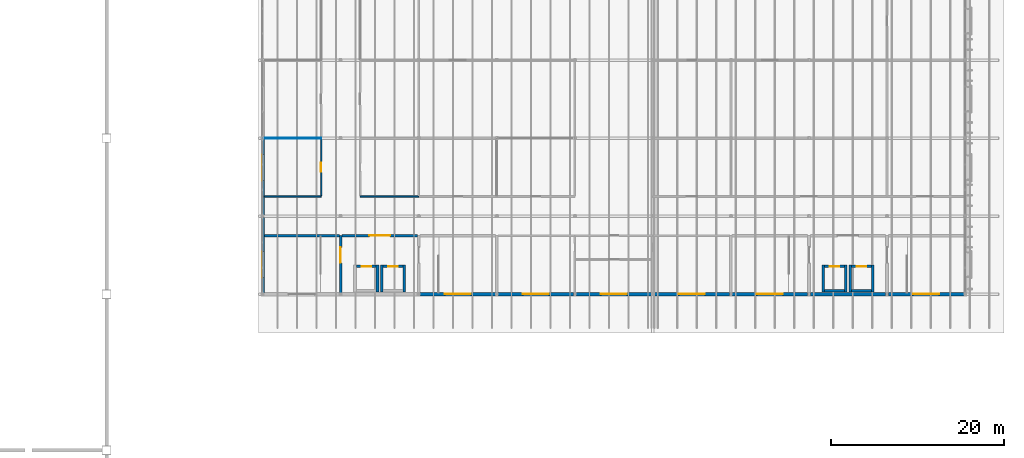
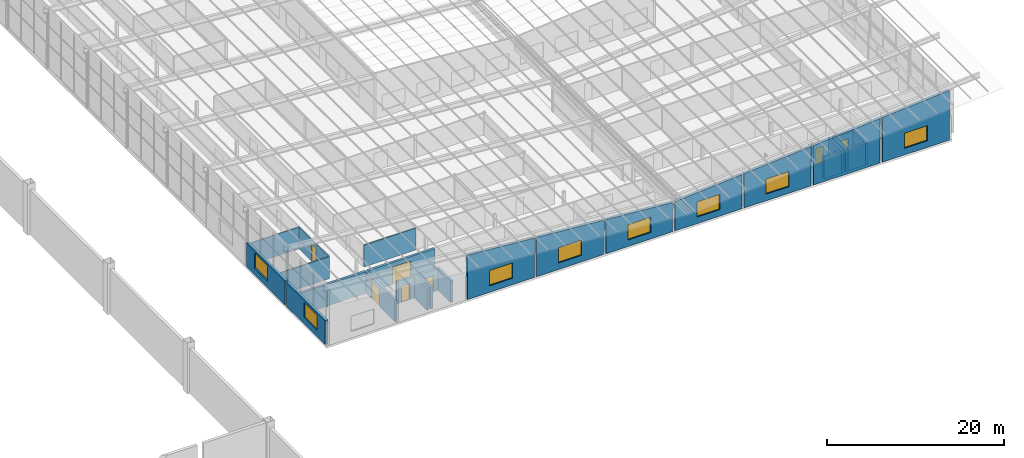
# One storey, part 70 of 85: 29 walls, 8 windows, 7 doors, 15 openings.
"""IFC4 building model written with IfcOpenShell, lengths in metres."""

from ifc_helpers import new_model, si_unit, direction, frame, frame_2d, origin, place, context, subcontext, project, spatial, polyline, rectangle, outline, extrude, material, layer, layer_set, type_object, element, fill, save


model = new_model("IFC4")

# Units and contexts
model_context = context("Model", 3, precision=1e-05, world=origin(), true_north=direction((0.0, 1.0)))
body_context = subcontext(model_context, "Body", "Model", "MODEL_VIEW")
ifc_project = project(units=[si_unit("LENGTHUNIT", "METRE"), si_unit("AREAUNIT", "SQUARE_METRE"), si_unit("VOLUMEUNIT", "CUBIC_METRE"), si_unit("PLANEANGLEUNIT", "RADIAN"), si_unit("MASSUNIT", "GRAM", prefix="KILO")], contexts=[model_context])

# Site, building, storey
site_placement = place(None, origin())
site = spatial("IfcSite", under=ifc_project, at=site_placement, CompositionType="ELEMENT")
building_placement = place(site_placement, origin())
building = spatial("IfcBuilding", under=site, at=building_placement, Name="Opaline Strait Convention Centre", CompositionType="ELEMENT")
storey_placement = place(building_placement, frame((0.0, 0.0, 17.0)))
storey = spatial("IfcBuildingStorey", under=building, at=storey_placement, Name="L03", CompositionType="ELEMENT", Elevation=17.0)

# Wall
ifc_material_1 = material(Name="Gypsum board")
ifc_layer_1 = layer(ifc_material_1, 0.032470703125)
ifc_material_2 = material(Name="Steel stud and mineral wool", Category="steel")
ifc_layer_2 = layer(ifc_material_2, 0.0849609375)
ifc_layer_3 = layer(ifc_material_1, 0.032470703125)
ifc_layer_set_1 = layer_set([ifc_layer_1, ifc_layer_2, ifc_layer_3], Name="Gypsum board, Steel stud and mineral wool, Gypsum board")
wall_type_1 = type_object("IfcWallType", Name="Corridor partition 150 EI60", PredefinedType="PARTITIONING", material=ifc_layer_set_1)
wall_1_placement = place(storey_placement, frame((279.199951171875, 101.25, 0.0), z_axis=(0.0, 0.0, 1.0), x_axis=(1.0, 0.0, 0.0)))
element("IfcWall", 1, at=wall_1_placement, inside=storey, type_object=wall_type_1, Name="MPW1 partition Organiser Office 3.01 S", PredefinedType="PARTITIONING", context=body_context, shape_type="SweptSolid", body=[
    extrude(rectangle(XDim=6.550048828125, YDim=0.14990234375, at=frame_2d((3.27490234375, 0.0))), origin(), (0.0, 0.0, 1.0), 3.0),
])

# Wall, opening, door
wall_2_placement = place(storey_placement, frame((285.75, 101.324951171875, 0.0), z_axis=(0.0, 0.0, 1.0), x_axis=(0.0, 1.0, 0.0)))
wall_2 = element("IfcWall", 2, at=wall_2_placement, inside=storey, type_object=wall_type_1, Name="MPW1 partition Organiser Office 3.01 E", PredefinedType="PARTITIONING", context=body_context, shape_type="SweptSolid", body=[
    extrude(rectangle(XDim=6.625, YDim=0.14990234375, at=frame_2d((3.3125, 0.0))), origin(), (0.0, 0.0, 1.0), 3.0),
])
opening_1_placement = place(wall_2_placement, frame((2.8125, 0.0, 0.0)))
opening_1 = element("IfcOpeningElement", 3, at=opening_1_placement, cuts=wall_2, Name="Opening M3-021", PredefinedType="OPENING", context=body_context, shape_type="SweptSolid", body=[
    extrude(rectangle(XDim=1.0, YDim=2.39990234375, at=frame_2d((0.5, 1.199951171875))), frame((0.0, 0.0849609375, 0.0), z_axis=(0.0, -1.0, 0.0), x_axis=(1.0, 0.0, 0.0)), (0.0, 0.0, 1.0), 0.169921875),
])
ifc_material_3 = material(Name="Solid-core timber leaf, steel frame door set", Category="steel")
door_type_1 = type_object("IfcDoorType", Name="Meeting room door FD30 1000 x 2400", OperationType="SINGLE_SWING_LEFT", PredefinedType="DOOR", material=ifc_material_3)
door_1_placement = place(opening_1_placement, frame((1.0, 0.0, 0.0), z_axis=(0.0, 0.0, 1.0), x_axis=(-1.0, 0.0, 0.0)))
door_1 = element("IfcDoor", 4, at=door_1_placement, inside=storey, type_object=door_type_1, Name="Door Organiser Office 3.01", ObjectType="MD8", OperationType="SINGLE_SWING_LEFT", OverallHeight=2.39990234375, OverallWidth=1.0, PredefinedType="DOOR", context=body_context, shape_type="SweptSolid", body=[
    extrude(rectangle(XDim=1.0, YDim=2.39990234375, at=frame_2d((0.5, 1.199951171875))), frame((0.0, 0.02490234375, 0.0), z_axis=(0.0, -1.0, 0.0), x_axis=(1.0, 0.0, 0.0)), (0.0, 0.0, 1.0), 0.050048828125),
])
fill(opening_1, door_1)

# Wall, opening, window
ifc_material_4 = material(Name="Concrete C40 precast", Category="concrete")
ifc_layer_4 = layer(ifc_material_4, 0.10009765625)
ifc_material_5 = material(Name="Mineral wool insulation")
ifc_layer_5 = layer(ifc_material_5, 0.14990234375)
ifc_layer_6 = layer(ifc_material_4, 0.14990234375)
ifc_layer_set_2 = layer_set([ifc_layer_4, ifc_layer_5, ifc_layer_6], Name="Concrete C40 precast, Mineral wool insulation, Concrete C40 precast")
wall_type_2 = type_object("IfcWallType", Name="External wall 400 insulated precast EI60", PredefinedType="STANDARD", material=ifc_layer_set_2)
wall_3_placement = place(storey_placement, frame((297.14990234375, 90.0, 0.0), z_axis=(0.0, 0.0, 1.0), x_axis=(1.0, 0.0, 0.0)))
wall_3 = element("IfcWall", 5, at=wall_3_placement, inside=storey, type_object=wall_type_2, Name="External wall S L03 34/L", PredefinedType="STANDARD", context=body_context, shape_type="SweptSolid", body=[
    extrude(outline(polyline([(0.0, 0.0), (8.7001953125, 0.0), (8.699951171875, 5.428466796875), (0.0, 6.113037109375), (0.0, 0.0)])), frame((0.0, 0.199951171875, 0.0), z_axis=(0.0, -1.0, 0.0), x_axis=(1.0, 0.0, 0.0)), (0.0, 0.0, 1.0), 0.39990234375),
])
opening_2_placement = place(wall_3_placement, frame((2.85009765625, 0.0, 0.89990234375)))
opening_2 = element("IfcOpeningElement", 6, at=opening_2_placement, cuts=wall_3, Name="Opening MW2", PredefinedType="OPENING", context=body_context, shape_type="SweptSolid", body=[
    extrude(rectangle(XDim=3.0, YDim=2.10009765625, at=frame_2d((1.5, 1.050048828125))), frame((0.0, 0.2099609375, 0.0), z_axis=(0.0, -1.0, 0.0), x_axis=(1.0, 0.0, 0.0)), (0.0, 0.0, 1.0), 0.419921875),
])
ifc_material_6 = material(Name="Aluminium framed double glazing", Category="aluminium")
window_type = type_object("IfcWindowType", Name="Window 3000 x 2100", PartitioningType="TRIPLE_PANEL_VERTICAL", PredefinedType="WINDOW", material=ifc_material_6)
window_1_placement = place(opening_2_placement, origin())
window_1 = element("IfcWindow", 7, at=window_1_placement, inside=storey, type_object=window_type, Name="Window Escape Stair S2 S", OverallHeight=2.10009765625, OverallWidth=3.0, PartitioningType="TRIPLE_PANEL_VERTICAL", PredefinedType="WINDOW", context=body_context, shape_type="SweptSolid", body=[
    extrude(rectangle(XDim=3.0, YDim=2.10009765625, at=frame_2d((1.5, 1.050048828125))), frame((0.0, 0.030029296875, 0.0), z_axis=(0.0, -1.0, 0.0), x_axis=(1.0, 0.0, 0.0)), (0.0, 0.0, 1.0), 0.06005859375),
])
fill(opening_2, window_1)

wall_4_placement = place(storey_placement, frame((306.14990234375, 90.0, 0.0), z_axis=(0.0, 0.0, 1.0), x_axis=(1.0, 0.0, 0.0)))
wall_4 = element("IfcWall", 8, at=wall_4_placement, inside=storey, type_object=wall_type_2, Name="External wall S L03 35/L", PredefinedType="STANDARD", context=body_context, shape_type="SweptSolid", body=[
    extrude(outline(polyline([(0.0, 0.0), (8.7001953125, 0.0), (8.699951171875, 4.72021484375), (0.0, 5.40478515625), (0.0, 0.0)])), frame((0.0, 0.199951171875, 0.0), z_axis=(0.0, -1.0, 0.0), x_axis=(1.0, 0.0, 0.0)), (0.0, 0.0, 1.0), 0.39990234375),
])
opening_3_placement = place(wall_4_placement, frame((2.85009765625, 0.0, 0.89990234375)))
opening_3 = element("IfcOpeningElement", 9, at=opening_3_placement, cuts=wall_4, Name="Opening MW2", PredefinedType="OPENING", context=body_context, shape_type="SweptSolid", body=[
    extrude(rectangle(XDim=3.0, YDim=2.10009765625, at=frame_2d((1.5, 1.050048828125))), frame((0.0, 0.2099609375, 0.0), z_axis=(0.0, -1.0, 0.0), x_axis=(1.0, 0.0, 0.0)), (0.0, 0.0, 1.0), 0.419921875),
])
window_2_placement = place(opening_3_placement, origin())
window_2 = element("IfcWindow", 10, at=window_2_placement, inside=storey, type_object=window_type, Name="Window Men's WC 3.S S", OverallHeight=2.10009765625, OverallWidth=3.0, PartitioningType="TRIPLE_PANEL_VERTICAL", PredefinedType="WINDOW", context=body_context, shape_type="SweptSolid", body=[
    extrude(rectangle(XDim=3.0, YDim=2.10009765625, at=frame_2d((1.5, 1.050048828125))), frame((0.0, 0.030029296875, 0.0), z_axis=(0.0, -1.0, 0.0), x_axis=(1.0, 0.0, 0.0)), (0.0, 0.0, 1.0), 0.06005859375),
])
fill(opening_3, window_2)

wall_5_placement = place(storey_placement, frame((315.14990234375, 90.0, 0.0), z_axis=(0.0, 0.0, 1.0), x_axis=(1.0, 0.0, 0.0)))
wall_5 = element("IfcWall", 11, at=wall_5_placement, inside=storey, type_object=wall_type_2, Name="External wall S L03 36/L", PredefinedType="STANDARD", context=body_context, shape_type="SweptSolid", body=[
    extrude(outline(polyline([(0.0, 0.0), (8.7001953125, 0.0), (8.699951171875, 4.01171875), (0.0, 4.696533203125), (0.0, 0.0)])), frame((0.0, 0.199951171875, 0.0), z_axis=(0.0, -1.0, 0.0), x_axis=(1.0, 0.0, 0.0)), (0.0, 0.0, 1.0), 0.39990234375),
])
opening_4_placement = place(wall_5_placement, frame((2.85009765625, 0.0, 0.89990234375)))
opening_4 = element("IfcOpeningElement", 12, at=opening_4_placement, cuts=wall_5, Name="Opening MW2", PredefinedType="OPENING", context=body_context, shape_type="SweptSolid", body=[
    extrude(rectangle(XDim=3.0, YDim=2.10009765625, at=frame_2d((1.5, 1.050048828125))), frame((0.0, 0.2099609375, 0.0), z_axis=(0.0, -1.0, 0.0), x_axis=(1.0, 0.0, 0.0)), (0.0, 0.0, 1.0), 0.419921875),
])
window_3_placement = place(opening_4_placement, origin())
window_3 = element("IfcWindow", 13, at=window_3_placement, inside=storey, type_object=window_type, Name="Window Accessible WC 3.S S", OverallHeight=2.10009765625, OverallWidth=3.0, PartitioningType="TRIPLE_PANEL_VERTICAL", PredefinedType="WINDOW", context=body_context, shape_type="SweptSolid", body=[
    extrude(rectangle(XDim=3.0, YDim=2.10009765625, at=frame_2d((1.5, 1.050048828125))), frame((0.0, 0.030029296875, 0.0), z_axis=(0.0, -1.0, 0.0), x_axis=(1.0, 0.0, 0.0)), (0.0, 0.0, 1.0), 0.06005859375),
])
fill(opening_4, window_3)

wall_6_placement = place(storey_placement, frame((324.14990234375, 90.0, 0.0), z_axis=(0.0, 0.0, 1.0), x_axis=(1.0, 0.0, 0.0)))
wall_6 = element("IfcWall", 14, at=wall_6_placement, inside=storey, type_object=wall_type_2, Name="External wall S L03 37/L", PredefinedType="STANDARD", context=body_context, shape_type="SweptSolid", body=[
    extrude(outline(polyline([(0.0, 0.0), (8.7001953125, 0.0), (8.699951171875, 4.696533203125), (0.0, 4.01171875), (0.0, 0.0)])), frame((0.0, 0.199951171875, 0.0), z_axis=(0.0, -1.0, 0.0), x_axis=(1.0, 0.0, 0.0)), (0.0, 0.0, 1.0), 0.39990234375),
])
opening_5_placement = place(wall_6_placement, frame((2.85009765625, 0.0, 0.89990234375)))
opening_5 = element("IfcOpeningElement", 15, at=opening_5_placement, cuts=wall_6, Name="Opening MW2", PredefinedType="OPENING", context=body_context, shape_type="SweptSolid", body=[
    extrude(rectangle(XDim=3.0, YDim=2.10009765625, at=frame_2d((1.5, 1.050048828125))), frame((0.0, 0.2099609375, 0.0), z_axis=(0.0, -1.0, 0.0), x_axis=(1.0, 0.0, 0.0)), (0.0, 0.0, 1.0), 0.419921875),
])
window_4_placement = place(opening_5_placement, origin())
window_4 = element("IfcWindow", 16, at=window_4_placement, inside=storey, type_object=window_type, Name="Window Women's WC 3.S S", OverallHeight=2.10009765625, OverallWidth=3.0, PartitioningType="TRIPLE_PANEL_VERTICAL", PredefinedType="WINDOW", context=body_context, shape_type="SweptSolid", body=[
    extrude(rectangle(XDim=3.0, YDim=2.10009765625, at=frame_2d((1.5, 1.050048828125))), frame((0.0, 0.030029296875, 0.0), z_axis=(0.0, -1.0, 0.0), x_axis=(1.0, 0.0, 0.0)), (0.0, 0.0, 1.0), 0.06005859375),
])
fill(opening_5, window_4)

wall_7_placement = place(storey_placement, frame((333.14990234375, 90.0, 0.0), z_axis=(0.0, 0.0, 1.0), x_axis=(1.0, 0.0, 0.0)))
wall_7 = element("IfcWall", 17, at=wall_7_placement, inside=storey, type_object=wall_type_2, Name="External wall S L03 38/L", PredefinedType="STANDARD", context=body_context, shape_type="SweptSolid", body=[
    extrude(outline(polyline([(0.0, 0.0), (8.7001953125, 0.0), (8.699951171875, 5.40478515625), (0.0, 4.72021484375), (0.0, 0.0)])), frame((0.0, 0.199951171875, 0.0), z_axis=(0.0, -1.0, 0.0), x_axis=(1.0, 0.0, 0.0)), (0.0, 0.0, 1.0), 0.39990234375),
])
opening_6_placement = place(wall_7_placement, frame((2.85009765625, 0.0, 0.89990234375)))
opening_6 = element("IfcOpeningElement", 18, at=opening_6_placement, cuts=wall_7, Name="Opening MW2", PredefinedType="OPENING", context=body_context, shape_type="SweptSolid", body=[
    extrude(rectangle(XDim=3.0, YDim=2.10009765625, at=frame_2d((1.5, 1.050048828125))), frame((0.0, 0.2099609375, 0.0), z_axis=(0.0, -1.0, 0.0), x_axis=(1.0, 0.0, 0.0)), (0.0, 0.0, 1.0), 0.419921875),
])
window_5_placement = place(opening_6_placement, origin())
window_5 = element("IfcWindow", 19, at=window_5_placement, inside=storey, type_object=window_type, Name="Window Escape Stair S4 S", OverallHeight=2.10009765625, OverallWidth=3.0, PartitioningType="TRIPLE_PANEL_VERTICAL", PredefinedType="WINDOW", context=body_context, shape_type="SweptSolid", body=[
    extrude(rectangle(XDim=3.0, YDim=2.10009765625, at=frame_2d((1.5, 1.050048828125))), frame((0.0, 0.030029296875, 0.0), z_axis=(0.0, -1.0, 0.0), x_axis=(1.0, 0.0, 0.0)), (0.0, 0.0, 1.0), 0.06005859375),
])
fill(opening_6, window_5)

# Wall
wall_8_placement = place(storey_placement, frame((342.14990234375, 90.0, 0.0), z_axis=(0.0, 0.0, 1.0), x_axis=(1.0, 0.0, 0.0)))
element("IfcWall", 20, at=wall_8_placement, inside=storey, type_object=wall_type_2, Name="External wall S L03 39/L", PredefinedType="STANDARD", context=body_context, shape_type="SweptSolid", body=[
    extrude(outline(polyline([(0.0, 0.0), (8.7001953125, 0.0), (8.699951171875, 6.113037109375), (0.0, 5.428466796875), (0.0, 0.0)])), frame((0.0, 0.199951171875, 0.0), z_axis=(0.0, -1.0, 0.0), x_axis=(1.0, 0.0, 0.0)), (0.0, 0.0, 1.0), 0.39990234375),
])

# Wall, opening, window
wall_9_placement = place(storey_placement, frame((351.14990234375, 90.0, 0.0), z_axis=(0.0, 0.0, 1.0), x_axis=(1.0, 0.0, 0.0)))
wall_9 = element("IfcWall", 21, at=wall_9_placement, inside=storey, type_object=wall_type_2, Name="External wall S L03 40/L", PredefinedType="STANDARD", context=body_context, shape_type="SweptSolid", body=[
    extrude(outline(polyline([(0.0, 0.0), (8.7001953125, 0.0), (8.699951171875, 6.821533203125), (0.0, 6.13671875), (0.0, 0.0)])), frame((0.0, 0.199951171875, 0.0), z_axis=(0.0, -1.0, 0.0), x_axis=(1.0, 0.0, 0.0)), (0.0, 0.0, 1.0), 0.39990234375),
])
opening_7_placement = place(wall_9_placement, frame((2.85009765625, 0.0, 0.89990234375)))
opening_7 = element("IfcOpeningElement", 22, at=opening_7_placement, cuts=wall_9, Name="Opening MW2", PredefinedType="OPENING", context=body_context, shape_type="SweptSolid", body=[
    extrude(rectangle(XDim=3.0, YDim=2.10009765625, at=frame_2d((1.5, 1.050048828125))), frame((0.0, 0.2099609375, 0.0), z_axis=(0.0, -1.0, 0.0), x_axis=(1.0, 0.0, 0.0)), (0.0, 0.0, 1.0), 0.419921875),
])
window_6_placement = place(opening_7_placement, origin())
window_6 = element("IfcWindow", 23, at=window_6_placement, inside=storey, type_object=window_type, Name="Window Escape Stair S3 S", OverallHeight=2.10009765625, OverallWidth=3.0, PartitioningType="TRIPLE_PANEL_VERTICAL", PredefinedType="WINDOW", context=body_context, shape_type="SweptSolid", body=[
    extrude(rectangle(XDim=3.0, YDim=2.10009765625, at=frame_2d((1.5, 1.050048828125))), frame((0.0, 0.030029296875, 0.0), z_axis=(0.0, -1.0, 0.0), x_axis=(1.0, 0.0, 0.0)), (0.0, 0.0, 1.0), 0.06005859375),
])
fill(opening_7, window_6)

wall_10_placement = place(storey_placement, frame((279.0, 90.14990234375, 0.0), z_axis=(0.0, 0.0, 1.0), x_axis=(0.0, 1.0, 0.0)))
wall_10 = element("IfcWall", 24, at=wall_10_placement, inside=storey, type_object=wall_type_2, Name="External wall W L03 32/L", PredefinedType="STANDARD", context=body_context, shape_type="SweptSolid", body=[
    extrude(rectangle(XDim=8.7001953125, YDim=0.39990234375, at=frame_2d((4.35009765625, 0.0))), origin(), (0.0, 0.0, 1.0), 3.300048828125),
])
opening_8_placement = place(wall_10_placement, frame((1.7626953125, 0.0, 0.89990234375)))
opening_8 = element("IfcOpeningElement", 25, at=opening_8_placement, cuts=wall_10, Name="Opening MW2", PredefinedType="OPENING", context=body_context, shape_type="SweptSolid", body=[
    extrude(rectangle(XDim=3.0, YDim=2.10009765625, at=frame_2d((1.5, 1.050048828125))), frame((0.0, 0.2099609375, 0.0), z_axis=(0.0, -1.0, 0.0), x_axis=(1.0, 0.0, 0.0)), (0.0, 0.0, 1.0), 0.419921875),
])
window_7_placement = place(opening_8_placement, origin())
window_7 = element("IfcWindow", 26, at=window_7_placement, inside=storey, type_object=window_type, Name="Window Escape Stair S1 W", OverallHeight=2.10009765625, OverallWidth=3.0, PartitioningType="TRIPLE_PANEL_VERTICAL", PredefinedType="WINDOW", context=body_context, shape_type="SweptSolid", body=[
    extrude(rectangle(XDim=3.0, YDim=2.10009765625, at=frame_2d((1.5, 1.050048828125))), frame((0.0, 0.030029296875, 0.0), z_axis=(0.0, -1.0, 0.0), x_axis=(1.0, 0.0, 0.0)), (0.0, 0.0, 1.0), 0.06005859375),
])
fill(opening_8, window_7)

wall_11_placement = place(storey_placement, frame((279.0, 99.14990234375, 0.0), z_axis=(0.0, 0.0, 1.0), x_axis=(0.0, 1.0, 0.0)))
wall_11 = element("IfcWall", 27, at=wall_11_placement, inside=storey, type_object=wall_type_2, Name="External wall W L03 32/M", PredefinedType="STANDARD", context=body_context, shape_type="SweptSolid", body=[
    extrude(rectangle(XDim=8.7001953125, YDim=0.39990234375, at=frame_2d((4.35009765625, 0.0))), origin(), (0.0, 0.0, 1.0), 3.300048828125),
])
opening_9_placement = place(wall_11_placement, frame((3.9375, 0.0, 0.89990234375)))
opening_9 = element("IfcOpeningElement", 28, at=opening_9_placement, cuts=wall_11, Name="Opening MW2", PredefinedType="OPENING", context=body_context, shape_type="SweptSolid", body=[
    extrude(rectangle(XDim=3.0, YDim=2.10009765625, at=frame_2d((1.5, 1.050048828125))), frame((0.0, 0.2099609375, 0.0), z_axis=(0.0, -1.0, 0.0), x_axis=(1.0, 0.0, 0.0)), (0.0, 0.0, 1.0), 0.419921875),
])
window_8_placement = place(opening_9_placement, origin())
window_8 = element("IfcWindow", 29, at=window_8_placement, inside=storey, type_object=window_type, Name="Window Organiser Office 3.01 W", OverallHeight=2.10009765625, OverallWidth=3.0, PartitioningType="TRIPLE_PANEL_VERTICAL", PredefinedType="WINDOW", context=body_context, shape_type="SweptSolid", body=[
    extrude(rectangle(XDim=3.0, YDim=2.10009765625, at=frame_2d((1.5, 1.050048828125))), frame((0.0, 0.030029296875, 0.0), z_axis=(0.0, -1.0, 0.0), x_axis=(1.0, 0.0, 0.0)), (0.0, 0.0, 1.0), 0.06005859375),
])
fill(opening_9, window_8)

# Wall
ifc_layer_7 = layer(ifc_material_1, 0.032470703125)
ifc_layer_8 = layer(ifc_material_2, 0.0849609375)
ifc_layer_9 = layer(ifc_material_1, 0.032470703125)
ifc_layer_set_3 = layer_set([ifc_layer_7, ifc_layer_8, ifc_layer_9], Name="Gypsum board, Steel stud and mineral wool, Gypsum board")
wall_type_3 = type_object("IfcWallType", Name="Plant room partition 150 EI120", PredefinedType="PARTITIONING", material=ifc_layer_set_3)
wall_12_placement = place(storey_placement, frame((290.25, 101.25, 0.0), z_axis=(0.0, 0.0, 1.0), x_axis=(1.0, 0.0, 0.0)))
element("IfcWall", 30, at=wall_12_placement, inside=storey, type_object=wall_type_3, Name="MPW3 partition Riser Room 3.07 S", PredefinedType="PARTITIONING", context=body_context, shape_type="SweptSolid", body=[
    extrude(rectangle(XDim=6.75, YDim=0.14990234375, at=frame_2d((3.375, 0.0))), origin(), (0.0, 0.0, 1.0), 3.0),
])

# Wall, opening, door
ifc_material_7 = material(Name="Concrete C40", Category="concrete")
ifc_layer_10 = layer(ifc_material_7, 0.300048828125)
ifc_layer_set_4 = layer_set([ifc_layer_10], Name="Concrete C40")
wall_type_4 = type_object("IfcWallType", Name="RC core wall 300 C40", PredefinedType="SHEAR", material=ifc_layer_set_4)
wall_13_placement = place(storey_placement, frame((288.0, 90.14990234375, 0.0), z_axis=(0.0, 0.0, 1.0), x_axis=(0.0, 1.0, 0.0)))
wall_13 = element("IfcWall", 31, at=wall_13_placement, inside=storey, type_object=wall_type_4, Name="Core wall SW-L03", PredefinedType="SHEAR", context=body_context, shape_type="SweptSolid", body=[
    extrude(rectangle(XDim=6.60009765625, YDim=0.300048828125, at=frame_2d((3.300048828125, 0.0))), origin(), (0.0, 0.0, 1.0), 3.0),
])
opening_10_placement = place(wall_13_placement, frame((3.4501953125, 0.0, 0.0)))
opening_10 = element("IfcOpeningElement", 32, at=opening_10_placement, cuts=wall_13, Name="Opening M3-001", PredefinedType="OPENING", context=body_context, shape_type="SweptSolid", body=[
    extrude(rectangle(XDim=1.800048828125, YDim=2.39990234375, at=frame_2d((0.89990234375, 1.199951171875))), frame((0.0, 0.159912109375, 0.0), z_axis=(0.0, -1.0, 0.0), x_axis=(1.0, 0.0, 0.0)), (0.0, 0.0, 1.0), 0.320068359375),
])
ifc_material_8 = material(Name="Steel Q235B", Category="steel")
door_type_2 = type_object("IfcDoorType", Name="Stair door FD60 1800 x 2400", OperationType="DOUBLE_DOOR_SINGLE_SWING", PredefinedType="DOOR", material=ifc_material_8)
door_2_placement = place(opening_10_placement, frame((1.800048828125, 0.0, 0.0), z_axis=(0.0, 0.0, 1.0), x_axis=(-1.0, 0.0, 0.0)))
door_2 = element("IfcDoor", 33, at=door_2_placement, inside=storey, type_object=door_type_2, Name="Escape stair S1 door L03", ObjectType="MD4", OperationType="DOUBLE_DOOR_SINGLE_SWING", OverallHeight=2.39990234375, OverallWidth=1.800048828125, PredefinedType="DOOR", context=body_context, shape_type="SweptSolid", body=[
    extrude(rectangle(XDim=1.800048828125, YDim=2.39990234375, at=frame_2d((0.89990234375, 1.199951171875))), frame((0.0, 0.02490234375, 0.0), z_axis=(0.0, -1.0, 0.0), x_axis=(1.0, 0.0, 0.0)), (0.0, 0.0, 1.0), 0.050048828125),
])
fill(opening_10, door_2)

# Wall
wall_14_placement = place(storey_placement, frame((279.199951171875, 96.75, 0.0), z_axis=(0.0, 0.0, 1.0), x_axis=(1.0, 0.0, 0.0)))
element("IfcWall", 34, at=wall_14_placement, inside=storey, type_object=wall_type_4, Name="Core wall SW-L03", PredefinedType="SHEAR", context=body_context, shape_type="SweptSolid", body=[
    extrude(rectangle(XDim=8.650146484375, YDim=0.300048828125, at=frame_2d((4.3251953125, 0.0))), origin(), (0.0, 0.0, 1.0), 3.0),
])

# Wall, opening, door
wall_15_placement = place(storey_placement, frame((288.14990234375, 96.75, 0.0), z_axis=(0.0, 0.0, 1.0), x_axis=(1.0, 0.0, 0.0)))
wall_15 = element("IfcWall", 35, at=wall_15_placement, inside=storey, type_object=wall_type_4, Name="Core wall SW-L03", PredefinedType="SHEAR", context=body_context, shape_type="SweptSolid", body=[
    extrude(rectangle(XDim=8.7001953125, YDim=0.300048828125, at=frame_2d((4.35009765625, 0.0))), origin(), (0.0, 0.0, 1.0), 3.0),
])
opening_11_placement = place(wall_15_placement, frame((3.150146484375, 0.0, 0.0)))
opening_11 = element("IfcOpeningElement", 36, at=opening_11_placement, cuts=wall_15, Name="Opening M3-003", PredefinedType="OPENING", context=body_context, shape_type="SweptSolid", body=[
    extrude(rectangle(XDim=2.39990234375, YDim=2.39990234375, at=frame_2d((1.199951171875, 1.199951171875))), frame((0.0, 0.159912109375, 0.0), z_axis=(0.0, -1.0, 0.0), x_axis=(1.0, 0.0, 0.0)), (0.0, 0.0, 1.0), 0.320068359375),
])
door_type_3 = type_object("IfcDoorType", Name="Lift lobby double door FD60 2400 x 2400", OperationType="DOUBLE_DOOR_SINGLE_SWING", PredefinedType="DOOR", material=ifc_material_8)
door_3_placement = place(opening_11_placement, origin())
door_3 = element("IfcDoor", 37, at=door_3_placement, inside=storey, type_object=door_type_3, Name="Lift lobby SW door L03", ObjectType="MD5", OperationType="DOUBLE_DOOR_SINGLE_SWING", OverallHeight=2.39990234375, OverallWidth=2.39990234375, PredefinedType="DOOR", context=body_context, shape_type="SweptSolid", body=[
    extrude(rectangle(XDim=2.39990234375, YDim=2.39990234375, at=frame_2d((1.199951171875, 1.199951171875))), frame((0.0, 0.02490234375, 0.0), z_axis=(0.0, -1.0, 0.0), x_axis=(1.0, 0.0, 0.0)), (0.0, 0.0, 1.0), 0.050048828125),
])
fill(opening_11, door_3)

# Wall
ifc_layer_11 = layer(ifc_material_7, 0.300048828125)
ifc_layer_set_5 = layer_set([ifc_layer_11], Name="Concrete C40")
wall_type_5 = type_object("IfcWallType", Name="RC lift shaft wall 300 C40", PredefinedType="SHEAR", material=ifc_layer_set_5)
wall_16_placement = place(storey_placement, frame((292.25, 90.25, 0.0), z_axis=(0.0, 0.0, 1.0), x_axis=(0.0, 1.0, 0.0)))
element("IfcWall", 38, at=wall_16_placement, inside=storey, type_object=wall_type_5, Name="Lift shaft SW1 wall L03", PredefinedType="SHEAR", context=body_context, shape_type="SweptSolid", body=[
    extrude(rectangle(XDim=3.10009765625, YDim=0.300048828125, at=frame_2d((1.550048828125, 0.0))), origin(), (0.0, 0.0, 1.0), 3.0),
])

# Wall, opening, door
wall_17_placement = place(storey_placement, frame((289.800048828125, 93.199951171875, 0.0), z_axis=(0.0, 0.0, 1.0), x_axis=(1.0, 0.0, 0.0)))
wall_17 = element("IfcWall", 39, at=wall_17_placement, inside=storey, type_object=wall_type_5, Name="Lift shaft SW1 wall L03", PredefinedType="SHEAR", context=body_context, shape_type="SweptSolid", body=[
    extrude(rectangle(XDim=2.300048828125, YDim=0.300048828125, at=frame_2d((1.14990234375, 0.0))), origin(), (0.0, 0.0, 1.0), 3.0),
])
opening_12_placement = place(wall_17_placement, frame((0.599853515625, 0.0, 0.0)))
opening_12 = element("IfcOpeningElement", 40, at=opening_12_placement, cuts=wall_17, Name="Opening M3-004", PredefinedType="OPENING", context=body_context, shape_type="SweptSolid", body=[
    extrude(rectangle(XDim=1.10009765625, YDim=2.199951171875, at=frame_2d((0.550048828125, 1.10009765625))), frame((0.0, 0.159912109375, 0.0), z_axis=(0.0, -1.0, 0.0), x_axis=(1.0, 0.0, 0.0)), (0.0, 0.0, 1.0), 0.320068359375),
])
ifc_material_9 = material(Name="Stainless steel 304", Category="steel")
door_type_4 = type_object("IfcDoorType", Name="Lift landing door FD60 1100 x 2200", OperationType="SLIDING_TO_LEFT", PredefinedType="DOOR", material=ifc_material_9)
door_4_placement = place(opening_12_placement, origin())
door_4 = element("IfcDoor", 41, at=door_4_placement, inside=storey, type_object=door_type_4, Name="Lift landing door SW1 L03", ObjectType="MD6", OperationType="SLIDING_TO_RIGHT", OverallHeight=2.199951171875, OverallWidth=1.10009765625, PredefinedType="DOOR", context=body_context, shape_type="SweptSolid", body=[
    extrude(rectangle(XDim=1.10009765625, YDim=2.199951171875, at=frame_2d((0.550048828125, 1.10009765625))), frame((0.0, 0.02490234375, 0.0), z_axis=(0.0, -1.0, 0.0), x_axis=(1.0, 0.0, 0.0)), (0.0, 0.0, 1.0), 0.050048828125),
])
fill(opening_12, door_4)

# Walls
for number, where, z_axis, x_axis, name in (
    (42, (292.75, 90.25, 0.0), (0.0, 0.0, 1.0), (0.0, 1.0, 0.0), "Lift shaft SW2 wall L03"),
    (43, (295.35009765625, 90.25, 0.0), (0.0, 0.0, 1.0), (0.0, 1.0, 0.0), "Lift shaft SW2 wall L03"),
):
    element("IfcWall", number, at=place(storey_placement, frame(where, z_axis=z_axis, x_axis=x_axis)), inside=storey, type_object=wall_type_5, Name=name, PredefinedType="SHEAR", context=body_context, shape_type="SweptSolid", body=[
        extrude(rectangle(XDim=3.10009765625, YDim=0.300048828125, at=frame_2d((1.550048828125, 0.0))), origin(), (0.0, 0.0, 1.0), 3.0),
    ])

# Wall, opening, door
wall_18_placement = place(storey_placement, frame((292.89990234375, 93.199951171875, 0.0), z_axis=(0.0, 0.0, 1.0), x_axis=(1.0, 0.0, 0.0)))
wall_18 = element("IfcWall", 44, at=wall_18_placement, inside=storey, type_object=wall_type_5, Name="Lift shaft SW2 wall L03", PredefinedType="SHEAR", context=body_context, shape_type="SweptSolid", body=[
    extrude(rectangle(XDim=2.300048828125, YDim=0.300048828125, at=frame_2d((1.14990234375, 0.0))), origin(), (0.0, 0.0, 1.0), 3.0),
])
opening_13_placement = place(wall_18_placement, frame((0.60009765625, 0.0, 0.0)))
opening_13 = element("IfcOpeningElement", 45, at=opening_13_placement, cuts=wall_18, Name="Opening M3-005", PredefinedType="OPENING", context=body_context, shape_type="SweptSolid", body=[
    extrude(rectangle(XDim=1.10009765625, YDim=2.199951171875, at=frame_2d((0.550048828125, 1.10009765625))), frame((0.0, 0.159912109375, 0.0), z_axis=(0.0, -1.0, 0.0), x_axis=(1.0, 0.0, 0.0)), (0.0, 0.0, 1.0), 0.320068359375),
])
door_5_placement = place(opening_13_placement, origin())
door_5 = element("IfcDoor", 46, at=door_5_placement, inside=storey, type_object=door_type_4, Name="Lift landing door SW2 L03", ObjectType="MD6", OperationType="SLIDING_TO_LEFT", OverallHeight=2.199951171875, OverallWidth=1.10009765625, PredefinedType="DOOR", context=body_context, shape_type="SweptSolid", body=[
    extrude(rectangle(XDim=1.10009765625, YDim=2.199951171875, at=frame_2d((0.550048828125, 1.10009765625))), frame((0.0, 0.02490234375, 0.0), z_axis=(0.0, -1.0, 0.0), x_axis=(1.0, 0.0, 0.0)), (0.0, 0.0, 1.0), 0.050048828125),
])
fill(opening_13, door_5)

# Walls
for number, where, z_axis, x_axis, name in (
    (47, (349.35009765625, 90.25, 0.0), (0.0, 0.0, 1.0), (0.0, 1.0, 0.0), "Lift shaft SE1 wall L03"),
    (48, (346.75, 90.25, 0.0), (0.0, 0.0, 1.0), (0.0, 1.0, 0.0), "Lift shaft SE1 wall L03"),
):
    element("IfcWall", number, at=place(storey_placement, frame(where, z_axis=z_axis, x_axis=x_axis)), inside=storey, type_object=wall_type_5, Name=name, PredefinedType="SHEAR", context=body_context, shape_type="SweptSolid", body=[
        extrude(rectangle(XDim=3.10009765625, YDim=0.300048828125, at=frame_2d((1.550048828125, 0.0))), origin(), (0.0, 0.0, 1.0), 3.0),
    ])
wall_19_placement = place(storey_placement, frame((346.89990234375, 90.39990234375, 0.0), z_axis=(0.0, 0.0, 1.0), x_axis=(1.0, 0.0, 0.0)))
element("IfcWall", 49, at=wall_19_placement, inside=storey, type_object=wall_type_5, Name="Lift shaft SE1 wall L03", PredefinedType="SHEAR", context=body_context, shape_type="SweptSolid", body=[
    extrude(rectangle(XDim=2.300048828125, YDim=0.300048828125, at=frame_2d((1.14990234375, 0.0))), origin(), (0.0, 0.0, 1.0), 3.0),
])

# Wall, opening, door
wall_20_placement = place(storey_placement, frame((346.89990234375, 93.199951171875, 0.0), z_axis=(0.0, 0.0, 1.0), x_axis=(1.0, 0.0, 0.0)))
wall_20 = element("IfcWall", 50, at=wall_20_placement, inside=storey, type_object=wall_type_5, Name="Lift shaft SE1 wall L03", PredefinedType="SHEAR", context=body_context, shape_type="SweptSolid", body=[
    extrude(rectangle(XDim=2.300048828125, YDim=0.300048828125, at=frame_2d((1.14990234375, 0.0))), origin(), (0.0, 0.0, 1.0), 3.0),
])
opening_14_placement = place(wall_20_placement, frame((0.60009765625, 0.0, 0.0)))
opening_14 = element("IfcOpeningElement", 51, at=opening_14_placement, cuts=wall_20, Name="Opening M3-009", PredefinedType="OPENING", context=body_context, shape_type="SweptSolid", body=[
    extrude(rectangle(XDim=1.10009765625, YDim=2.199951171875, at=frame_2d((0.550048828125, 1.10009765625))), frame((0.0, 0.159912109375, 0.0), z_axis=(0.0, -1.0, 0.0), x_axis=(1.0, 0.0, 0.0)), (0.0, 0.0, 1.0), 0.320068359375),
])
door_6_placement = place(opening_14_placement, origin())
door_6 = element("IfcDoor", 52, at=door_6_placement, inside=storey, type_object=door_type_4, Name="Lift landing door SE1 L03", ObjectType="MD6", OperationType="SLIDING_TO_LEFT", OverallHeight=2.199951171875, OverallWidth=1.10009765625, PredefinedType="DOOR", context=body_context, shape_type="SweptSolid", body=[
    extrude(rectangle(XDim=1.10009765625, YDim=2.199951171875, at=frame_2d((0.550048828125, 1.10009765625))), frame((0.0, 0.02490234375, 0.0), z_axis=(0.0, -1.0, 0.0), x_axis=(1.0, 0.0, 0.0)), (0.0, 0.0, 1.0), 0.050048828125),
])
fill(opening_14, door_6)

# Walls
for number, where, z_axis, x_axis, name in (
    (53, (346.25, 90.25, 0.0), (0.0, 0.0, 1.0), (0.0, 1.0, 0.0), "Lift shaft SE2 wall L03"),
    (54, (343.64990234375, 90.25, 0.0), (0.0, 0.0, 1.0), (0.0, 1.0, 0.0), "Lift shaft SE2 wall L03"),
):
    element("IfcWall", number, at=place(storey_placement, frame(where, z_axis=z_axis, x_axis=x_axis)), inside=storey, type_object=wall_type_5, Name=name, PredefinedType="SHEAR", context=body_context, shape_type="SweptSolid", body=[
        extrude(rectangle(XDim=3.10009765625, YDim=0.300048828125, at=frame_2d((1.550048828125, 0.0))), origin(), (0.0, 0.0, 1.0), 3.0),
    ])
wall_21_placement = place(storey_placement, frame((343.800048828125, 90.39990234375, 0.0), z_axis=(0.0, 0.0, 1.0), x_axis=(1.0, 0.0, 0.0)))
element("IfcWall", 55, at=wall_21_placement, inside=storey, type_object=wall_type_5, Name="Lift shaft SE2 wall L03", PredefinedType="SHEAR", context=body_context, shape_type="SweptSolid", body=[
    extrude(rectangle(XDim=2.300048828125, YDim=0.300048828125, at=frame_2d((1.14990234375, 0.0))), origin(), (0.0, 0.0, 1.0), 3.0),
])

# Wall, opening, door
wall_22_placement = place(storey_placement, frame((343.800048828125, 93.199951171875, 0.0), z_axis=(0.0, 0.0, 1.0), x_axis=(1.0, 0.0, 0.0)))
wall_22 = element("IfcWall", 56, at=wall_22_placement, inside=storey, type_object=wall_type_5, Name="Lift shaft SE2 wall L03", PredefinedType="SHEAR", context=body_context, shape_type="SweptSolid", body=[
    extrude(rectangle(XDim=2.300048828125, YDim=0.300048828125, at=frame_2d((1.14990234375, 0.0))), origin(), (0.0, 0.0, 1.0), 3.0),
])
opening_15_placement = place(wall_22_placement, frame((0.599853515625, 0.0, 0.0)))
opening_15 = element("IfcOpeningElement", 57, at=opening_15_placement, cuts=wall_22, Name="Opening M3-010", PredefinedType="OPENING", context=body_context, shape_type="SweptSolid", body=[
    extrude(rectangle(XDim=1.10009765625, YDim=2.199951171875, at=frame_2d((0.550048828125, 1.10009765625))), frame((0.0, 0.159912109375, 0.0), z_axis=(0.0, -1.0, 0.0), x_axis=(1.0, 0.0, 0.0)), (0.0, 0.0, 1.0), 0.320068359375),
])
door_7_placement = place(opening_15_placement, origin())
door_7 = element("IfcDoor", 58, at=door_7_placement, inside=storey, type_object=door_type_4, Name="Lift landing door SE2 L03", ObjectType="MD6", OperationType="SLIDING_TO_RIGHT", OverallHeight=2.199951171875, OverallWidth=1.10009765625, PredefinedType="DOOR", context=body_context, shape_type="SweptSolid", body=[
    extrude(rectangle(XDim=1.10009765625, YDim=2.199951171875, at=frame_2d((0.550048828125, 1.10009765625))), frame((0.0, 0.02490234375, 0.0), z_axis=(0.0, -1.0, 0.0), x_axis=(1.0, 0.0, 0.0)), (0.0, 0.0, 1.0), 0.050048828125),
])
fill(opening_15, door_7)

# Wall
ifc_layer_12 = layer(ifc_material_1, 0.012451171875)
ifc_layer_13 = layer(ifc_material_2, 0.074951171875)
ifc_layer_14 = layer(ifc_material_1, 0.012451171875)
ifc_layer_set_6 = layer_set([ifc_layer_12, ifc_layer_13, ifc_layer_14], Name="Gypsum board, Steel stud and mineral wool, Gypsum board")
wall_type_6 = type_object("IfcWallType", Name="Room partition 100 EI45", PredefinedType="PARTITIONING", material=ifc_layer_set_6)
wall_23_placement = place(storey_placement, frame((279.14990234375, 108.0, 0.0), z_axis=(0.0, 0.0, 1.0), x_axis=(1.0, 0.0, 0.0)))
element("IfcWall", 59, at=wall_23_placement, inside=storey, type_object=wall_type_6, Name="MPW2 partition Organiser Office 3.01 N", PredefinedType="PARTITIONING", context=body_context, shape_type="SweptSolid", body=[
    extrude(rectangle(XDim=6.60009765625, YDim=0.10009765625, at=frame_2d((3.300048828125, 0.0))), origin(), (0.0, 0.0, 1.0), 3.0),
])

save(model, "model.ifc")
